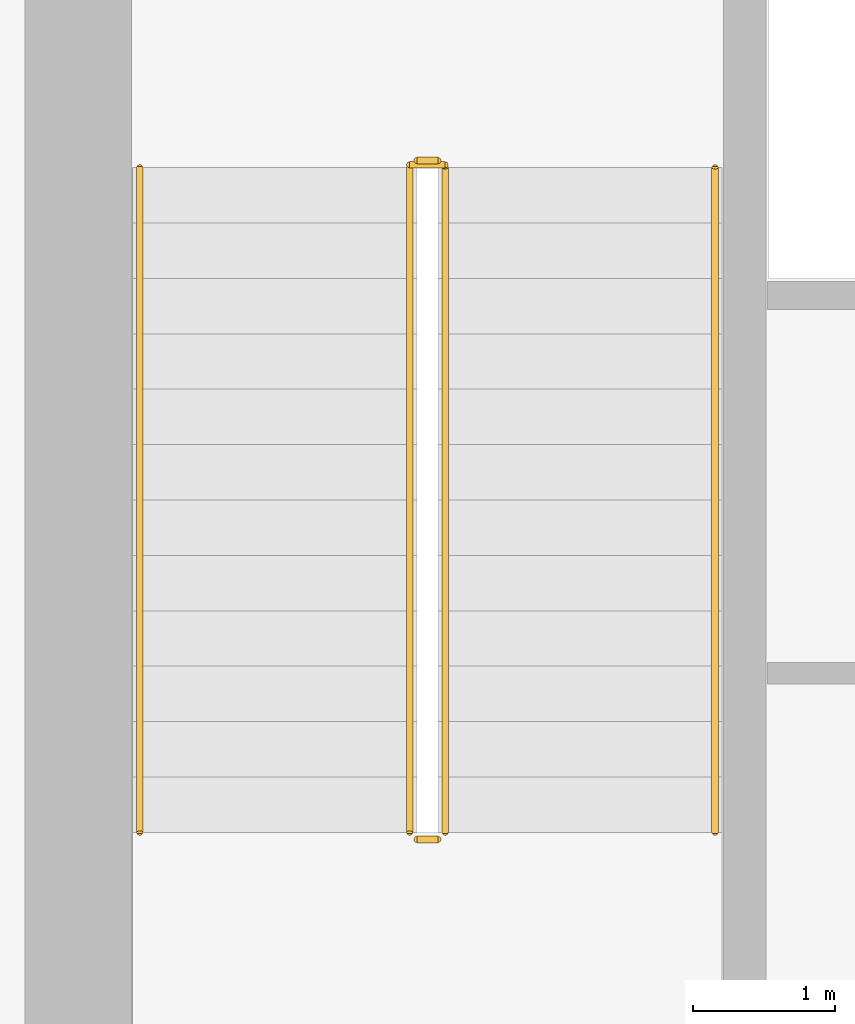
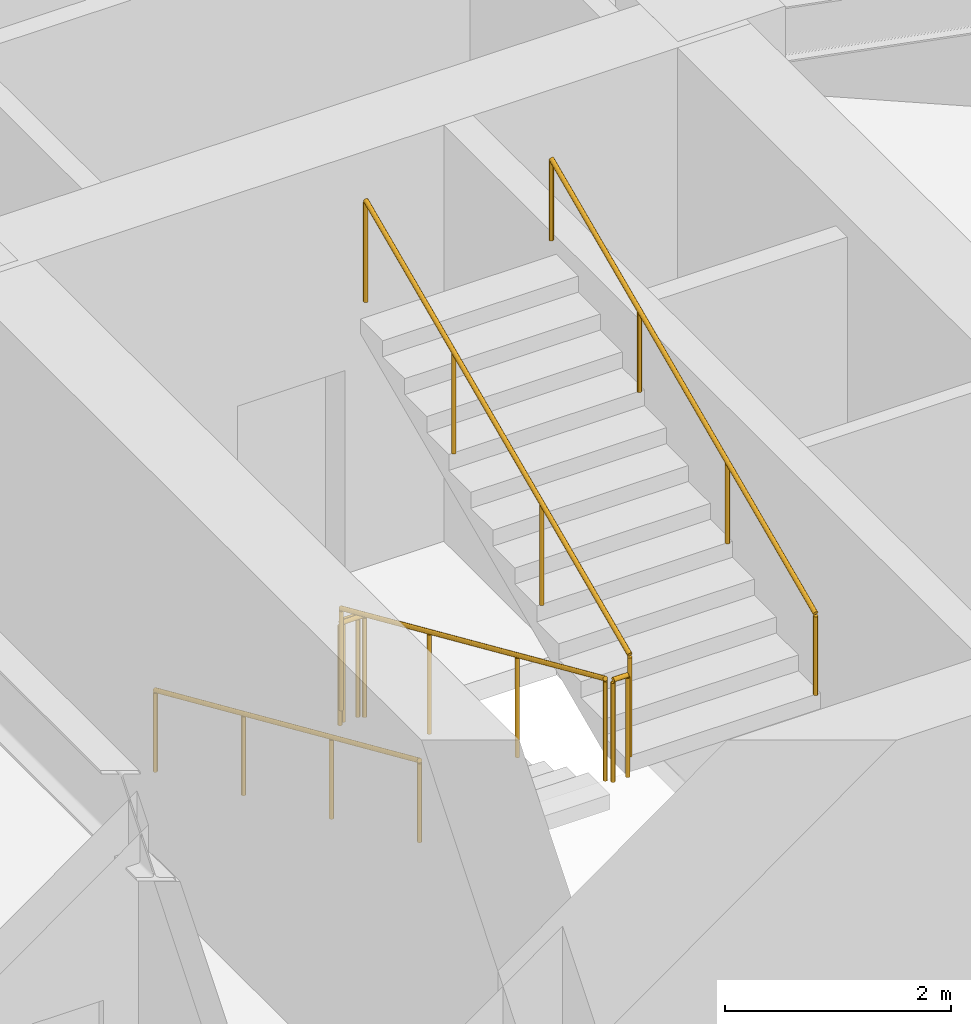
# One storey, part 26 of 29: 7 railings.
"""IFC4 building model written with IfcOpenShell, lengths in metres."""

from ifc_helpers import new_model, si_unit, direction, frame, origin, origin_2d, place, context, subcontext, project, spatial, circle, extrude, material, layer, layer_set, type_object, element, save


model = new_model("IFC4")

# Units and contexts
model_context = context("Model", 3, precision=1e-05, world=origin(), true_north=direction((0.0, 1.0)))
body_context = subcontext(model_context, "Body", "Model", "MODEL_VIEW")
ifc_project = project(units=[si_unit("LENGTHUNIT", "METRE"), si_unit("AREAUNIT", "SQUARE_METRE"), si_unit("VOLUMEUNIT", "CUBIC_METRE"), si_unit("PLANEANGLEUNIT", "RADIAN"), si_unit("MASSUNIT", "GRAM", prefix="KILO")], contexts=[model_context])

# Site, building, storey
site_placement = place(None, origin())
site = spatial("IfcSite", under=ifc_project, at=site_placement, CompositionType="ELEMENT")
building_placement = place(site_placement, origin())
building = spatial("IfcBuilding", under=site, at=building_placement, Name="Hatsunagi Terrace Concourse", CompositionType="ELEMENT")
storey_placement = place(building_placement, frame((0.0, 0.0, 32.10009765625)))
storey = spatial("IfcBuildingStorey", under=building, at=storey_placement, Name="L07", CompositionType="ELEMENT", Elevation=32.10009765625)

# Railings
ifc_material_1 = material(Name="Stainless steel", Category="steel")
ifc_layer_1 = layer(ifc_material_1, 0.044921875)
ifc_layer_set_1 = layer_set([ifc_layer_1], Name="StairPitchHandrail_Tower2000")
railing_type_1 = type_object("IfcRailingType", Name="StairPitchHandrail_Tower2000", PredefinedType="HANDRAIL", material=ifc_layer_set_1)
railing_1_placement = place(storey_placement, frame((36.550048828125, 32.659912109375, 0.173095703125)))
element("IfcRailing", 1, at=railing_1_placement, inside=storey, type_object=railing_type_1, Name="L07 ST-B stair handrail 1", PredefinedType="HANDRAIL", context=body_context, shape_type="SweptSolid", body=[
    extrude(circle(Radius=0.02392578125, at=origin_2d()), frame((0.0, 0.0, 0.8759765625), z_axis=(0.0, -0.914033604373, 0.405638472137), x_axis=(1.0, 0.0, 0.0)), (0.0, 0.0, 1.0), 5.1201171875),
    extrude(circle(Radius=0.02099609375, at=origin_2d()), origin(), (0.0, 0.0, 1.0), 0.851806640625),
    extrude(circle(Radius=0.02099609375, at=origin_2d()), frame((0.0, -1.56005859375, 0.6923828125)), (0.0, 0.0, 1.0), 0.851806640625),
    extrude(circle(Radius=0.02099609375, at=origin_2d()), frame((0.0, -3.119873046875, 1.384521484375)), (0.0, 0.0, 1.0), 0.851806640625),
    extrude(circle(Radius=0.02099609375, at=origin_2d()), frame((0.0, -4.679931640625, 2.076904296875)), (0.0, 0.0, 1.0), 0.851806640625),
])
railing_2_placement = place(storey_placement, frame((40.60009765625, 27.97998046875, 2.423095703125)))
element("IfcRailing", 2, at=railing_2_placement, inside=storey, type_object=railing_type_1, Name="L07 ST-B stair handrail 2", PredefinedType="HANDRAIL", context=body_context, shape_type="SweptSolid", body=[
    extrude(circle(Radius=0.02392578125, at=origin_2d()), frame((0.0, 0.0, 0.8759765625), z_axis=(0.0, 0.914033604373, 0.405638472137), x_axis=(-1.0, 0.0, 0.0)), (0.0, 0.0, 1.0), 5.1201171875),
    extrude(circle(Radius=0.02099609375, at=origin_2d()), origin(), (0.0, 0.0, 1.0), 0.851806640625),
    extrude(circle(Radius=0.02099609375, at=origin_2d()), frame((0.0, 1.56005859375, 0.6923828125)), (0.0, 0.0, 1.0), 0.851806640625),
    extrude(circle(Radius=0.02099609375, at=origin_2d()), frame((0.0, 3.119873046875, 1.384521484375)), (0.0, 0.0, 1.0), 0.851806640625),
    extrude(circle(Radius=0.02099609375, at=origin_2d()), frame((0.0, 4.679931640625, 2.076904296875)), (0.0, 0.0, 1.0), 0.851806640625),
])
ifc_material_2 = material(Name="Stainless steel", Category="steel")
ifc_layer_2 = layer(ifc_material_2, 0.06005859375)
ifc_layer_set_2 = layer_set([ifc_layer_2], Name="StairWellGuard_Tower2000")
railing_type_2 = type_object("IfcRailingType", Name="StairWellGuard_Tower2000", PredefinedType="BALUSTRADE", material=ifc_layer_set_2)
railing_3_placement = place(storey_placement, frame((38.449951171875, 32.659912109375, 0.173095703125)))
element("IfcRailing", 3, at=railing_3_placement, inside=storey, type_object=railing_type_2, Name="L07 ST-B stair guard 1", PredefinedType="BALUSTRADE", context=body_context, shape_type="SweptSolid", body=[
    extrude(circle(Radius=0.02392578125, at=origin_2d()), frame((0.0, 0.0, 1.09619140625), z_axis=(0.0, -0.914033604373, 0.405638472137), x_axis=(1.0, 0.0, 0.0)), (0.0, 0.0, 1.0), 5.1201171875),
    extrude(circle(Radius=0.02099609375, at=origin_2d()), origin(), (0.0, 0.0, 1.0), 1.072021484375),
    extrude(circle(Radius=0.02099609375, at=origin_2d()), frame((0.0, -1.56005859375, 0.6923828125)), (0.0, 0.0, 1.0), 1.072021484375),
    extrude(circle(Radius=0.02099609375, at=origin_2d()), frame((0.0, -3.119873046875, 1.384521484375)), (0.0, 0.0, 1.0), 1.072021484375),
    extrude(circle(Radius=0.02099609375, at=origin_2d()), frame((0.0, -4.679931640625, 2.076904296875)), (0.0, 0.0, 1.0), 1.072021484375),
])
railing_4_placement = place(storey_placement, frame((38.5, 27.929931640625, 2.25)))
element("IfcRailing", 4, at=railing_4_placement, inside=storey, type_object=railing_type_2, Name="L07 ST-B stair guard 2", PredefinedType="BALUSTRADE", context=body_context, shape_type="SweptSolid", body=[
    extrude(circle(Radius=0.02392578125, at=origin_2d()), frame((0.0, 0.0, 1.09619140625), z_axis=(1.0, 0.0, 0.0), x_axis=(0.0, 1.0, 0.0)), (0.0, 0.0, 1.0), 0.14990234375),
    extrude(circle(Radius=0.02099609375, at=origin_2d()), origin(), (0.0, 0.0, 1.0), 1.072021484375),
    extrude(circle(Radius=0.02099609375, at=origin_2d()), frame((0.14990234375, 0.0, 0.0)), (0.0, 0.0, 1.0), 1.072021484375),
])
railing_5_placement = place(storey_placement, frame((38.699951171875, 27.97998046875, 2.423095703125)))
element("IfcRailing", 5, at=railing_5_placement, inside=storey, type_object=railing_type_2, Name="L07 ST-B stair guard 3", PredefinedType="BALUSTRADE", context=body_context, shape_type="SweptSolid", body=[
    extrude(circle(Radius=0.02392578125, at=origin_2d()), frame((0.0, 0.0, 1.09619140625), z_axis=(0.0, 0.914033604373, 0.405638472137), x_axis=(-1.0, 0.0, 0.0)), (0.0, 0.0, 1.0), 5.1201171875),
    extrude(circle(Radius=0.02099609375, at=origin_2d()), origin(), (0.0, 0.0, 1.0), 1.072021484375),
    extrude(circle(Radius=0.02099609375, at=origin_2d()), frame((0.0, 1.56005859375, 0.6923828125)), (0.0, 0.0, 1.0), 1.072021484375),
    extrude(circle(Radius=0.02099609375, at=origin_2d()), frame((0.0, 3.119873046875, 1.384521484375)), (0.0, 0.0, 1.0), 1.072021484375),
    extrude(circle(Radius=0.02099609375, at=origin_2d()), frame((0.0, 4.679931640625, 2.076904296875)), (0.0, 0.0, 1.0), 1.072021484375),
])
railing_6_placement = place(storey_placement, frame((38.5, 32.7099609375, 0.0)))
element("IfcRailing", 6, at=railing_6_placement, inside=storey, type_object=railing_type_2, Name="L07 ST-B stair guard 4", PredefinedType="BALUSTRADE", context=body_context, shape_type="SweptSolid", body=[
    extrude(circle(Radius=0.02392578125, at=origin_2d()), frame((0.0, 0.0, 1.09619140625), z_axis=(1.0, 0.0, 0.0), x_axis=(0.0, 1.0, 0.0)), (0.0, 0.0, 1.0), 0.14990234375),
    extrude(circle(Radius=0.02099609375, at=origin_2d()), origin(), (0.0, 0.0, 1.0), 1.072021484375),
    extrude(circle(Radius=0.02099609375, at=origin_2d()), frame((0.14990234375, 0.0, 0.0)), (0.0, 0.0, 1.0), 1.072021484375),
])
ifc_material_3 = material(Name="Stainless Steel SUS316 Post-and-Rail Guard", Category="steel")
ifc_layer_3 = layer(ifc_material_3, 0.080078125)
ifc_layer_set_3 = layer_set([ifc_layer_3], Name="TerracePlantedGuardRail_1200")
railing_type_3 = type_object("IfcRailingType", Name="TerracePlantedGuardRail_1200", PredefinedType="GUARDRAIL", material=ifc_layer_set_3)
railing_7_placement = place(storey_placement, frame((38.449951171875, 32.679931640625, 0.0)))
element("IfcRailing", 7, at=railing_7_placement, inside=storey, type_object=railing_type_3, Name="Stair ST-B Well Closure Guard L07", PredefinedType="GUARDRAIL", context=body_context, shape_type="SweptSolid", body=[
    extrude(circle(Radius=0.02392578125, at=origin_2d()), frame((0.0, 0.0, 1.09619140625), z_axis=(1.0, 0.0, 0.0), x_axis=(0.0, 1.0, 0.0)), (0.0, 0.0, 1.0), 0.25),
    extrude(circle(Radius=0.02099609375, at=origin_2d()), origin(), (0.0, 0.0, 1.0), 1.072021484375),
    extrude(circle(Radius=0.02099609375, at=origin_2d()), frame((0.25, 0.0, 0.0)), (0.0, 0.0, 1.0), 1.072021484375),
])

save(model, "model.ifc")
